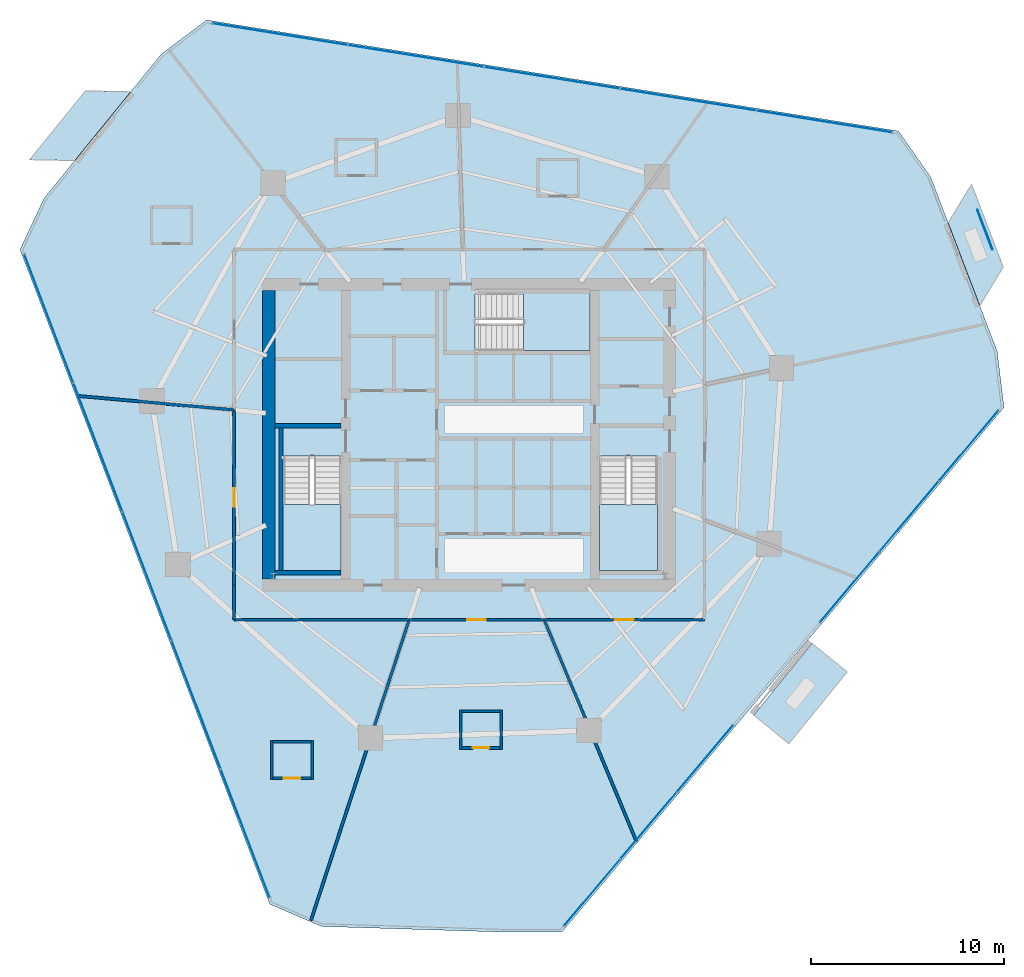
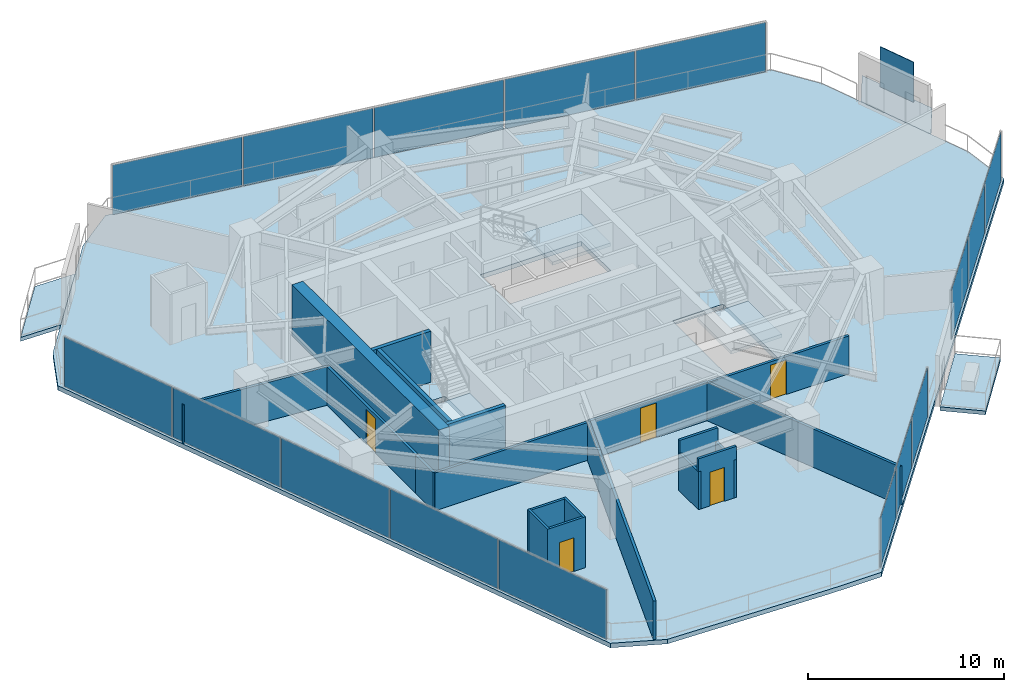
# One storey, part 24 of 31: 20 walls, 17 plates, 7 slabs, 5 doors, 5 openings, 7 elements without a shape of their own.
"""IFC4 building model written with IfcOpenShell, lengths in metres."""

from ifc_helpers import new_model, si_unit, direction, frame, frame_2d, origin, origin_2d, place, context, subcontext, project, spatial, polyline, rectangle, outline, extrude, material, layer, layer_set, type_object, element, fill, aggregate, save


model = new_model("IFC4")

# Units and contexts
model_context = context("Model", 3, precision=1e-05, world=origin(), true_north=direction((0.0, 1.0)))
body_context = subcontext(model_context, "Body", "Model", "MODEL_VIEW")
ifc_project = project(units=[si_unit("LENGTHUNIT", "METRE"), si_unit("AREAUNIT", "SQUARE_METRE"), si_unit("VOLUMEUNIT", "CUBIC_METRE"), si_unit("PLANEANGLEUNIT", "RADIAN"), si_unit("MASSUNIT", "GRAM", prefix="KILO")], contexts=[model_context])

# Site, building, storey
site_placement = place(None, origin())
site = spatial("IfcSite", under=ifc_project, at=site_placement, CompositionType="ELEMENT")
building_placement = place(site_placement, origin())
building = spatial("IfcBuilding", under=site, at=building_placement, Name="Qarnah Convention Tower", CompositionType="ELEMENT")
storey_placement = place(building_placement, frame((0.0, 0.0, 33.89990234375)))
storey = spatial("IfcBuildingStorey", under=building, at=storey_placement, Name="L07", CompositionType="ELEMENT", Elevation=33.89990234375)

# Curtain wall, plates
ifc_material_1 = material(Name="Tempered Low-E dark glass", Category="glass")
ifc_layer_1 = layer(ifc_material_1, 0.16796875)
ifc_layer_set_1 = layer_set([ifc_layer_1], Name="Tempered Low-E dark glass")
curtain_wall_type = type_object("IfcCurtainWallType", Name="CWS-01", PredefinedType="NOTDEFINED", material=ifc_layer_set_1)
curtain_wall_1_placement = place(storey_placement, origin())
curtain_wall_1 = element("IfcCurtainWall", 1, at=curtain_wall_1_placement, inside=storey, type_object=curtain_wall_type, Name="L07 unitised curtain wall CW-L07-F1", PredefinedType="NOTDEFINED")
ifc_layer_2 = layer(ifc_material_1, 0.028076171875)
ifc_layer_set_2 = layer_set([ifc_layer_2], Name="Tempered Low-E dark glass")
plate_type_1 = type_object("IfcPlateType", Name="PNL-T1", PredefinedType="CURTAIN_PANEL", material=ifc_layer_set_2)
plate_1_placement = place(storey_placement, frame((27.385009765625, 47.16748046875, 0.0400390625), z_axis=(0.0, 0.0, 1.0), x_axis=(0.987358613708, -0.15850226477, 0.0)))
plate_1 = element("IfcPlate", 2, at=plate_1_placement, type_object=plate_type_1, Name="CW-L07-F1 curtain panel 1.1", PredefinedType="CURTAIN_PANEL", context=body_context, shape_type="SweptSolid", body=[
    extrude(rectangle(XDim=7.068115234375, YDim=0.028076171875, at=origin_2d()), origin(), (0.0, 0.0, 1.0), 3.090087890625),
])
plate_2_placement = place(storey_placement, frame((34.442626953125, 46.034423828125, 0.0400390625), z_axis=(0.0, 0.0, 1.0), x_axis=(0.987358613708, -0.15850226477, 0.0)))
plate_2 = element("IfcPlate", 3, at=plate_2_placement, type_object=plate_type_1, Name="CW-L07-F1 curtain panel 2.1", PredefinedType="CURTAIN_PANEL", context=body_context, shape_type="SweptSolid", body=[
    extrude(rectangle(XDim=7.068115234375, YDim=0.028076171875, at=origin_2d()), origin(), (0.0, 0.0, 1.0), 3.090087890625),
])
plate_3_placement = place(storey_placement, frame((41.50048828125, 44.901611328125, 0.0400390625), z_axis=(0.0, 0.0, 1.0), x_axis=(0.987358613708, -0.15850226477, 0.0)))
plate_3 = element("IfcPlate", 4, at=plate_3_placement, type_object=plate_type_1, Name="CW-L07-F1 curtain panel 3.1", PredefinedType="CURTAIN_PANEL", context=body_context, shape_type="SweptSolid", body=[
    extrude(rectangle(XDim=7.068115234375, YDim=0.028076171875, at=origin_2d()), origin(), (0.0, 0.0, 1.0), 3.090087890625),
])
plate_4_placement = place(storey_placement, frame((48.558349609375, 43.7685546875, 0.0400390625), z_axis=(0.0, 0.0, 1.0), x_axis=(0.987358613708, -0.15850226477, 0.0)))
plate_4 = element("IfcPlate", 5, at=plate_4_placement, type_object=plate_type_1, Name="CW-L07-F1 curtain panel 4.1", PredefinedType="CURTAIN_PANEL", context=body_context, shape_type="SweptSolid", body=[
    extrude(rectangle(XDim=7.068115234375, YDim=0.028076171875, at=origin_2d()), origin(), (0.0, 0.0, 1.0), 3.090087890625),
])
plate_5_placement = place(storey_placement, frame((55.6162109375, 42.635498046875, 0.0400390625), z_axis=(0.0, 0.0, 1.0), x_axis=(0.987358613708, -0.15850226477, 0.0)))
plate_5 = element("IfcPlate", 6, at=plate_5_placement, type_object=plate_type_1, Name="CW-L07-F1 curtain panel 5.1", PredefinedType="CURTAIN_PANEL", context=body_context, shape_type="SweptSolid", body=[
    extrude(rectangle(XDim=7.068115234375, YDim=0.028076171875, at=origin_2d()), origin(), (0.0, 0.0, 1.0), 3.090087890625),
])
aggregate(curtain_wall_1, [plate_1, plate_2, plate_3, plate_4, plate_5])

curtain_wall_2_placement = place(storey_placement, origin())
curtain_wall_2 = element("IfcCurtainWall", 7, at=curtain_wall_2_placement, inside=storey, type_object=curtain_wall_type, Name="L07 unitised curtain wall CW-L07-F2", PredefinedType="NOTDEFINED")
plate_6_placement = place(storey_placement, frame((25.584228515625, 5.708251953125, 0.0400390625), z_axis=(0.0, 0.0, 1.0), x_axis=(-0.356416493623, 0.934327182027, 0.0)))
plate_6 = element("IfcPlate", 8, at=plate_6_placement, type_object=plate_type_1, Name="CW-L07-F2 curtain panel 1.1", PredefinedType="CURTAIN_PANEL", context=body_context, shape_type="SweptSolid", body=[
    extrude(rectangle(XDim=7.06787109375, YDim=0.028076171875, at=origin_2d()), origin(), (0.0, 0.0, 1.0), 3.090087890625),
])
plate_7_placement = place(storey_placement, frame((23.03662109375, 12.38671875, 0.0400390625), z_axis=(0.0, 0.0, 1.0), x_axis=(-0.356416493623, 0.934327182027, 0.0)))
plate_7 = element("IfcPlate", 9, at=plate_7_placement, type_object=plate_type_1, Name="CW-L07-F2 curtain panel 2.1", PredefinedType="CURTAIN_PANEL", context=body_context, shape_type="SweptSolid", body=[
    extrude(rectangle(XDim=7.06787109375, YDim=0.028076171875, at=origin_2d()), origin(), (0.0, 0.0, 1.0), 3.090087890625),
])
plate_8_placement = place(storey_placement, frame((20.489013671875, 19.06494140625, 0.0400390625), z_axis=(0.0, 0.0, 1.0), x_axis=(-0.356416493623, 0.934327182027, 0.0)))
plate_8 = element("IfcPlate", 10, at=plate_8_placement, type_object=plate_type_1, Name="CW-L07-F2 curtain panel 3.1", PredefinedType="CURTAIN_PANEL", context=body_context, shape_type="SweptSolid", body=[
    extrude(rectangle(XDim=7.06787109375, YDim=0.028076171875, at=origin_2d()), origin(), (0.0, 0.0, 1.0), 3.090087890625),
])
plate_9_placement = place(storey_placement, frame((17.94140625, 25.743408203125, 0.0400390625), z_axis=(0.0, 0.0, 1.0), x_axis=(-0.356416493623, 0.934327182027, 0.0)))
plate_9 = element("IfcPlate", 11, at=plate_9_placement, type_object=plate_type_1, Name="CW-L07-F2 curtain panel 4.1", PredefinedType="CURTAIN_PANEL", context=body_context, shape_type="SweptSolid", body=[
    extrude(rectangle(XDim=7.06787109375, YDim=0.028076171875, at=origin_2d()), origin(), (0.0, 0.0, 1.0), 3.090087890625),
])
plate_10_placement = place(storey_placement, frame((15.393798828125, 32.421875, 0.0400390625), z_axis=(0.0, 0.0, 1.0), x_axis=(-0.356416493623, 0.934327182027, 0.0)))
plate_10 = element("IfcPlate", 12, at=plate_10_placement, type_object=plate_type_1, Name="CW-L07-F2 curtain panel 5.1", PredefinedType="CURTAIN_PANEL", context=body_context, shape_type="SweptSolid", body=[
    extrude(rectangle(XDim=7.06787109375, YDim=0.028076171875, at=origin_2d()), origin(), (0.0, 0.0, 1.0), 3.090087890625),
])
aggregate(curtain_wall_2, [plate_6, plate_7, plate_8, plate_9, plate_10])

curtain_wall_3_placement = place(storey_placement, origin())
curtain_wall_3 = element("IfcCurtainWall", 13, at=curtain_wall_3_placement, inside=storey, type_object=curtain_wall_type, Name="L07 unitised curtain wall CW-L07-F3", PredefinedType="NOTDEFINED")
plate_11_placement = place(storey_placement, frame((63.097412109375, 25.822998046875, 0.0400390625), z_axis=(0.0, 0.0, 1.0), x_axis=(-0.644401208836, -0.764687571529, 0.0)))
plate_11 = element("IfcPlate", 14, at=plate_11_placement, type_object=plate_type_1, Name="CW-L07-F3 curtain panel 1.1", PredefinedType="CURTAIN_PANEL", context=body_context, shape_type="SweptSolid", body=[
    extrude(rectangle(XDim=4.714111328125, YDim=0.028076171875, at=origin_2d()), origin(), (0.0, 0.0, 1.0), 3.090087890625),
])
plate_12_placement = place(storey_placement, frame((60.008056640625, 22.156982421875, 0.0400390625), z_axis=(0.0, 0.0, 1.0), x_axis=(-0.644401208836, -0.764687571529, 0.0)))
plate_12 = element("IfcPlate", 15, at=plate_12_placement, type_object=plate_type_1, Name="CW-L07-F3 curtain panel 2.1", PredefinedType="CURTAIN_PANEL", context=body_context, shape_type="SweptSolid", body=[
    extrude(rectangle(XDim=4.714111328125, YDim=0.028076171875, at=origin_2d()), origin(), (0.0, 0.0, 1.0), 3.090087890625),
])
plate_13_placement = place(storey_placement, frame((56.918701171875, 18.490966796875, 0.0400390625), z_axis=(0.0, 0.0, 1.0), x_axis=(-0.644401208836, -0.764687571529, 0.0)))
plate_13 = element("IfcPlate", 16, at=plate_13_placement, type_object=plate_type_1, Name="CW-L07-F3 curtain panel 3.1", PredefinedType="CURTAIN_PANEL", context=body_context, shape_type="SweptSolid", body=[
    extrude(rectangle(XDim=4.714111328125, YDim=0.028076171875, at=origin_2d()), origin(), (0.0, 0.0, 1.0), 3.090087890625),
])
aggregate(curtain_wall_3, [plate_11, plate_12, plate_13])

curtain_wall_4_placement = place(storey_placement, origin())
curtain_wall_4 = element("IfcCurtainWall", 17, at=curtain_wall_4_placement, inside=storey, type_object=curtain_wall_type, Name="L07 unitised curtain wall CW-L07-F4", PredefinedType="NOTDEFINED")
plate_14_placement = place(storey_placement, frame((49.4267578125, 9.600341796875, 0.0400390625), z_axis=(0.0, 0.0, 1.0), x_axis=(-0.644442674892, -0.764652626215, 0.0)))
plate_14 = element("IfcPlate", 18, at=plate_14_placement, type_object=plate_type_1, Name="CW-L07-F4 curtain panel 1.1", PredefinedType="CURTAIN_PANEL", context=body_context, shape_type="SweptSolid", body=[
    extrude(rectangle(XDim=4.467529296875, YDim=0.028076171875, at=origin_2d()), origin(), (0.0, 0.0, 1.0), 3.090087890625),
])
plate_15_placement = place(storey_placement, frame((46.49609375, 6.123046875, 0.0400390625), z_axis=(0.0, 0.0, 1.0), x_axis=(-0.644442674892, -0.764652626215, 0.0)))
plate_15 = element("IfcPlate", 19, at=plate_15_placement, type_object=plate_type_1, Name="CW-L07-F4 curtain panel 2.1", PredefinedType="CURTAIN_PANEL", context=body_context, shape_type="SweptSolid", body=[
    extrude(rectangle(XDim=4.467529296875, YDim=0.028076171875, at=origin_2d()), origin(), (0.0, 0.0, 1.0), 3.090087890625),
])
plate_16_placement = place(storey_placement, frame((43.5654296875, 2.645751953125, 0.0400390625), z_axis=(0.0, 0.0, 1.0), x_axis=(-0.644442674892, -0.764652626215, 0.0)))
plate_16 = element("IfcPlate", 20, at=plate_16_placement, type_object=plate_type_1, Name="CW-L07-F4 curtain panel 3.1", PredefinedType="CURTAIN_PANEL", context=body_context, shape_type="SweptSolid", body=[
    extrude(rectangle(XDim=4.467529296875, YDim=0.028076171875, at=origin_2d()), origin(), (0.0, 0.0, 1.0), 3.090087890625),
])
aggregate(curtain_wall_4, [plate_14, plate_15, plate_16])

# Plate
ifc_material_2 = material(Name="Black anodised aluminium", Category="aluminium")
ifc_layer_3 = layer(ifc_material_2, 0.044921875)
ifc_layer_set_3 = layer_set([ifc_layer_3], Name="Black anodised aluminium")
plate_type_2 = type_object("IfcPlateType", Name="SCR-BAL-18", PredefinedType="USERDEFINED", material=ifc_layer_set_3)
plate_17_placement = place(storey_placement, frame((63.93994140625, 37.030029296875, 0.0), z_axis=(0.0, 0.0, 1.0), x_axis=(0.356312403284, -0.934366882582, 0.0)))
element("IfcPlate", 21, at=plate_17_placement, inside=storey, type_object=plate_type_2, Name="L07 perforated desert solar screen BAL-L07-C1", ObjectType="SCREEN", PredefinedType="USERDEFINED", context=body_context, shape_type="SweptSolid", body=[
    extrude(rectangle(XDim=2.199951171875, YDim=0.044921875, at=origin_2d()), origin(), (0.0, 0.0, 1.0), 2.5),
])

# Slabs
ifc_material_3 = material(Name="Concrete C45/55", Category="concrete")
ifc_layer_4 = layer(ifc_material_3, 0.239990234375)
ifc_layer_set_4 = layer_set([ifc_layer_4], Name="Concrete C45/55")
slab_type_1 = type_object("IfcSlabType", Name="SLB-BAL-240", PredefinedType="USERDEFINED", material=ifc_layer_set_4)
slab_1_placement = place(storey_placement, frame((0.0, 0.0, -0.239990234375)))
element("IfcSlab", 22, at=slab_1_placement, inside=storey, type_object=slab_type_1, Name="L07 cantilevered balcony slab BAL-L07-C1", ObjectType="BALCONY", PredefinedType="USERDEFINED", context=body_context, shape_type="SweptSolid", body=[
    extrude(outline(polyline([(63.2451171875, 39.384033203125), (64.884033203125, 35.0859375), (63.672119140625, 33.076904296875), (62.031982421875, 37.3759765625), (63.2451171875, 39.384033203125)])), origin(), (0.0, 0.0, 1.0), 0.239990234375),
])
slab_2_placement = place(storey_placement, frame((0.0, 0.0, -0.239990234375)))
element("IfcSlab", 23, at=slab_2_placement, inside=storey, type_object=slab_type_1, Name="L07 cantilevered balcony slab BAL-L07-C2", ObjectType="BALCONY", PredefinedType="USERDEFINED", context=body_context, shape_type="SweptSolid", body=[
    extrude(outline(polyline([(14.39599609375, 40.655029296875), (17.298095703125, 44.22412109375), (19.64404296875, 44.177978515625), (16.740966796875, 40.60888671875), (14.39599609375, 40.655029296875)])), origin(), (0.0, 0.0, 1.0), 0.239990234375),
])
slab_3_placement = place(storey_placement, frame((0.0, 0.0, -0.239990234375)))
element("IfcSlab", 24, at=slab_3_placement, inside=storey, type_object=slab_type_1, Name="L07 cantilevered balcony slab VN-L07", ObjectType="BALCONY", PredefinedType="USERDEFINED", context=body_context, shape_type="SweptSolid", body=[
    extrude(outline(polyline([(54.97412109375, 15.575927734375), (56.797119140625, 14.093017578125), (53.76806640625, 10.368896484375), (51.945068359375, 11.85205078125), (54.97412109375, 15.575927734375)])), origin(), (0.0, 0.0, 1.0), 0.239990234375),
])

# Stair, slab
ifc_material_4 = material(Name="Concrete C50/60", Category="concrete")
stair_type = type_object("IfcStairType", Name="STR-HTL", PredefinedType="HALF_TURN_STAIR", material=ifc_material_4)
stair_1_placement = place(storey_placement, origin())
stair_1 = element("IfcStair", 25, at=stair_1_placement, inside=storey, type_object=stair_type, Name="L07 Core exit stair ST-1", PredefinedType="HALF_TURN_STAIR")
ifc_layer_5 = layer(ifc_material_4, 0.199951171875)
ifc_layer_set_5 = layer_set([ifc_layer_5], Name="Concrete C50/60")
slab_type_2 = type_object("IfcSlabType", Name="SLB-LANDING-200", PredefinedType="LANDING", material=ifc_layer_set_5)
slab_4_placement = place(storey_placement, frame((0.0, 0.0, 1.525146484375)))
slab_4 = element("IfcSlab", 26, at=slab_4_placement, type_object=slab_type_2, Name="ST-1 landing 1", PredefinedType="LANDING", context=body_context, shape_type="SweptSolid", body=[
    extrude(outline(polyline([(27.550048828125, 22.780029296875), (27.550048828125, 19.35009765625), (30.550048828125, 19.35009765625), (30.550048828125, 22.780029296875), (27.550048828125, 22.780029296875)])), origin(), (0.0, 0.0, 1.0), 0.199951171875),
])
aggregate(stair_1, [slab_4])

stair_2_placement = place(storey_placement, origin())
stair_2 = element("IfcStair", 27, at=stair_2_placement, inside=storey, type_object=stair_type, Name="L07 Core exit stair ST-2", PredefinedType="HALF_TURN_STAIR")
slab_5_placement = place(storey_placement, frame((0.0, 0.0, 1.525146484375)))
slab_5 = element("IfcSlab", 28, at=slab_5_placement, type_object=slab_type_2, Name="ST-2 landing 1", PredefinedType="LANDING", context=body_context, shape_type="SweptSolid", body=[
    extrude(outline(polyline([(43.949951171875, 22.780029296875), (43.949951171875, 19.35009765625), (46.949951171875, 19.35009765625), (46.949951171875, 22.780029296875), (43.949951171875, 22.780029296875)])), origin(), (0.0, 0.0, 1.0), 0.199951171875),
])
aggregate(stair_2, [slab_5])

stair_3_placement = place(storey_placement, origin())
stair_3 = element("IfcStair", 29, at=stair_3_placement, inside=storey, type_object=stair_type, Name="L07 Core exit stair ST-3", PredefinedType="HALF_TURN_STAIR")
slab_6_placement = place(storey_placement, frame((0.0, 0.0, 1.525146484375)))
slab_6 = element("IfcSlab", 30, at=slab_6_placement, type_object=slab_type_2, Name="ST-3 landing 1", PredefinedType="LANDING", context=body_context, shape_type="SweptSolid", body=[
    extrude(outline(polyline([(40.02001953125, 30.75), (43.449951171875, 30.75), (43.449951171875, 33.75), (40.02001953125, 33.75), (40.02001953125, 30.75)])), origin(), (0.0, 0.0, 1.0), 0.199951171875),
])
aggregate(stair_3, [slab_6])

# Slab
ifc_layer_6 = layer(ifc_material_3, 0.280029296875)
ifc_layer_set_6 = layer_set([ifc_layer_6], Name="Concrete C45/55")
slab_type_3 = type_object("IfcSlabType", Name="SLB-TWR-280", PredefinedType="FLOOR", material=ifc_layer_set_6)
slab_7_placement = place(storey_placement, frame((0.0, 0.0, -0.27978515625)))
element("IfcSlab", 31, at=slab_7_placement, inside=storey, type_object=slab_type_3, Name="L07 structural floor slab", PredefinedType="FLOOR", context=body_context, shape_type="SweptSolid", body=[
    extrude(outline(polyline([(59.4599609375, 42.139892578125), (23.5791015625, 47.89990234375), (21.235107421875, 46.14111328125), (15.14501953125, 38.653076171875), (13.90087890625, 35.9990234375), (26.85302734375, 2.0458984375), (29.548095703125, 0.89501953125), (39.0791015625, 0.60009765625), (41.998046875, 0.60009765625), (64.927001953125, 27.80810546875), (64.575927734375, 30.717041015625), (61.135986328125, 39.736083984375), (59.4599609375, 42.139892578125)]), holes=[polyline([(27.550048828125, 25.300048828125), (27.550048828125, 19.35009765625), (30.550048828125, 19.35009765625), (30.550048828125, 25.300048828125), (27.550048828125, 25.300048828125)]), polyline([(43.949951171875, 25.300048828125), (43.949951171875, 19.35009765625), (46.949951171875, 19.35009765625), (46.949951171875, 25.300048828125), (43.949951171875, 25.300048828125)]), polyline([(37.5, 30.75), (43.449951171875, 30.75), (43.449951171875, 33.75), (37.5, 33.75), (37.5, 30.75)])]), origin(), (0.0, 0.0, 1.0), 0.27978515625),
])

# Walls
ifc_material_5 = material(Name="Concrete C60/75", Category="concrete")
ifc_layer_7 = layer(ifc_material_5, 0.64990234375)
ifc_layer_set_7 = layer_set([ifc_layer_7], Name="Concrete C60/75")
wall_type_1 = type_object("IfcWallType", Name="WL-CORE-650", PredefinedType="SHEAR", material=ifc_layer_set_7)
wall_1_placement = place(storey_placement, frame((26.800048828125, 18.925048828125, 0.0), z_axis=(0.0, 0.0, 1.0), x_axis=(0.0, 1.0, 0.0)))
element("IfcWall", 32, at=wall_1_placement, inside=storey, type_object=wall_type_1, Name="L07 core west shear wall", PredefinedType="SHEAR", context=body_context, shape_type="SweptSolid", body=[
    extrude(rectangle(XDim=14.949951171875, YDim=0.64990234375, at=frame_2d((7.47509765625, 0.0))), origin(), (0.0, 0.0, 1.0), 3.170166015625),
])
ifc_layer_8 = layer(ifc_material_5, 0.219970703125)
ifc_layer_set_8 = layer_set([ifc_layer_8], Name="Concrete C60/75")
wall_type_2 = type_object("IfcWallType", Name="WL-CORE-STAIR-220", PredefinedType="SHEAR", material=ifc_layer_set_8)
wall_2_placement = place(storey_placement, frame((27.125, 26.860107421875, 0.0), z_axis=(0.0, 0.0, 1.0), x_axis=(1.0, 0.0, 0.0)))
element("IfcWall", 33, at=wall_2_placement, inside=storey, type_object=wall_type_2, Name="L07 stair shaft shear wall SW-L07-ST1N", PredefinedType="SHEAR", context=body_context, shape_type="SweptSolid", body=[
    extrude(rectangle(XDim=3.425048828125, YDim=0.219970703125, at=frame_2d((1.71240234375, 0.0))), origin(), (0.0, 0.0, 1.0), 3.170166015625),
])
wall_3_placement = place(storey_placement, frame((27.43994140625, 19.35009765625, 0.0), z_axis=(0.0, 0.0, 1.0), x_axis=(0.0, 1.0, 0.0)))
element("IfcWall", 34, at=wall_3_placement, inside=storey, type_object=wall_type_2, Name="L07 stair shaft shear wall SW-L07-ST1W", PredefinedType="SHEAR", context=body_context, shape_type="SweptSolid", body=[
    extrude(rectangle(XDim=7.39990234375, YDim=0.219970703125, at=frame_2d((3.699951171875, 0.0))), origin(), (0.0, 0.0, 1.0), 3.170166015625),
])
wall_4_placement = place(storey_placement, frame((27.125, 19.239990234375, 0.0), z_axis=(0.0, 0.0, 1.0), x_axis=(1.0, 0.0, 0.0)))
element("IfcWall", 35, at=wall_4_placement, inside=storey, type_object=wall_type_2, Name="L07 stair shaft shear wall SW-L07-ST1S", PredefinedType="SHEAR", context=body_context, shape_type="SweptSolid", body=[
    extrude(rectangle(XDim=3.425048828125, YDim=0.219970703125, at=frame_2d((1.71240234375, 0.0))), origin(), (0.0, 0.0, 1.0), 3.170166015625),
])
ifc_material_6 = material(Name="Gypsum partition board")
ifc_layer_9 = layer(ifc_material_6, 0.14990234375)
ifc_layer_set_9 = layer_set([ifc_layer_9], Name="Gypsum partition board")
wall_type_3 = type_object("IfcWallType", Name="WL-SUITE-150", PredefinedType="PARTITIONING", material=ifc_layer_set_9)
wall_5_placement = place(storey_placement, frame((16.873046875, 28.408935546875, 0.0), z_axis=(0.0, 0.0, 1.0), x_axis=(0.996022166246, -0.089105804226, 0.0)))
element("IfcWall", 36, at=wall_5_placement, inside=storey, type_object=wall_type_3, Name="L07 interior wall IW-L07-R-30", PredefinedType="PARTITIONING", context=body_context, shape_type="SweptSolid", body=[
    extrude(rectangle(XDim=8.159423828125, YDim=0.14990234375, at=frame_2d((4.07958984375, 0.0))), origin(), (0.0, 0.0, 1.0), 2.39501953125),
])
wall_6_placement = place(storey_placement, frame((28.991943359375, 1.218994140625, 0.0), z_axis=(0.0, 0.0, 1.0), x_axis=(0.310480066137, 0.950579890662, 0.0)))
element("IfcWall", 37, at=wall_6_placement, inside=storey, type_object=wall_type_3, Name="L07 interior wall IW-L07-R-34", PredefinedType="PARTITIONING", context=body_context, shape_type="SweptSolid", body=[
    extrude(rectangle(XDim=16.39111328125, YDim=0.14990234375, at=frame_2d((8.195556640625, 0.0))), origin(), (0.0, 0.0, 1.0), 2.39501953125),
])
wall_7_placement = place(storey_placement, frame((34.0810546875, 16.800048828125, 0.0), z_axis=(0.0, 0.0, 1.0), x_axis=(-1.0, 0.0, 0.0)))
element("IfcWall", 38, at=wall_7_placement, inside=storey, type_object=wall_type_3, Name="L07 interior wall IW-L07-R-35", PredefinedType="PARTITIONING", context=body_context, shape_type="SweptSolid", body=[
    extrude(rectangle(XDim=9.0810546875, YDim=0.14990234375, at=frame_2d((4.54052734375, 0.0))), origin(), (0.0, 0.0, 1.0), 2.35498046875),
])
wall_8_placement = place(storey_placement, frame((25.0, 16.800048828125, 0.0), z_axis=(0.0, 0.0, 1.0), x_axis=(0.0, 1.0, 0.0)))
element("IfcWall", 39, at=wall_8_placement, inside=storey, type_object=wall_type_3, Name="L07 interior wall IW-L07-R-36", PredefinedType="PARTITIONING", context=body_context, shape_type="SweptSolid", body=[
    extrude(rectangle(XDim=1.800048828125, YDim=0.14990234375, at=frame_2d((0.89990234375, 0.0))), origin(), (0.0, 0.0, 1.0), 2.35498046875),
])

# Wall, opening, door
wall_9_placement = place(storey_placement, frame((25.0, 18.60009765625, 0.0), z_axis=(0.0, 0.0, 1.0), x_axis=(0.0, 1.0, 0.0)))
wall_9 = element("IfcWall", 40, at=wall_9_placement, inside=storey, type_object=wall_type_3, Name="L07 interior wall IW-L07-R-37", PredefinedType="PARTITIONING", context=body_context, shape_type="SweptSolid", body=[
    extrude(rectangle(XDim=9.081787109375, YDim=0.14990234375, at=frame_2d((4.541015625, 0.0))), origin(), (0.0, 0.0, 1.0), 2.39501953125),
])
opening_1_placement = place(wall_9_placement, frame((4.06591796875, 0.0, 0.0)))
opening_1 = element("IfcOpeningElement", 41, at=opening_1_placement, cuts=wall_9, Name="Opening D-0723", PredefinedType="OPENING", context=body_context, shape_type="SweptSolid", body=[
    extrude(rectangle(XDim=0.949951171875, YDim=2.14990234375, at=frame_2d((0.47509765625, 1.074951171875))), frame((0.0, 0.0849609375, 0.0), z_axis=(0.0, -1.0, 0.0), x_axis=(1.0, 0.0, 0.0)), (0.0, 0.0, 1.0), 0.169921875),
])
ifc_material_7 = material(Name="Oak timber veneer", Category="wood")
door_type_1 = type_object("IfcDoorType", Name="DT-HOTEL-950", OperationType="NOTDEFINED", PredefinedType="DOOR", material=ifc_material_7)
door_1_placement = place(opening_1_placement, origin())
door_1 = element("IfcDoor", 42, at=door_1_placement, inside=storey, type_object=door_type_1, Name="Door D-0723", OperationType="SINGLE_SWING_LEFT", OverallHeight=2.14990234375, OverallWidth=0.949951171875, PredefinedType="DOOR", context=body_context, shape_type="SweptSolid", body=[
    extrude(rectangle(XDim=0.949951171875, YDim=2.14990234375, at=frame_2d((0.47509765625, 1.074951171875))), frame((0.0, 0.02490234375, 0.0), z_axis=(0.0, -1.0, 0.0), x_axis=(1.0, 0.0, 0.0)), (0.0, 0.0, 1.0), 0.050048828125),
])
fill(opening_1, door_1)

# Wall
wall_10_placement = place(storey_placement, frame((45.865966796875, 5.300048828125, 0.0), z_axis=(0.0, 0.0, 1.0), x_axis=(-0.384286924082, 0.923213713059, 0.0)))
element("IfcWall", 43, at=wall_10_placement, inside=storey, type_object=wall_type_3, Name="L07 interior wall IW-L07-R-38", PredefinedType="PARTITIONING", context=body_context, shape_type="SweptSolid", body=[
    extrude(rectangle(XDim=12.45654296875, YDim=0.14990234375, at=frame_2d((6.228271484375, 0.0))), origin(), (0.0, 0.0, 1.0), 2.39501953125),
])

# Wall, opening, door
wall_11_placement = place(storey_placement, frame((41.0791015625, 16.800048828125, 0.0), z_axis=(0.0, 0.0, 1.0), x_axis=(-1.0, 0.0, 0.0)))
wall_11 = element("IfcWall", 44, at=wall_11_placement, inside=storey, type_object=wall_type_3, Name="L07 interior wall IW-L07-R-39", PredefinedType="PARTITIONING", context=body_context, shape_type="SweptSolid", body=[
    extrude(rectangle(XDim=6.998046875, YDim=0.14990234375, at=frame_2d((3.4990234375, 0.0))), origin(), (0.0, 0.0, 1.0), 2.39501953125),
])
opening_2_placement = place(wall_11_placement, frame((3.02392578125, 0.0, 0.0)))
opening_2 = element("IfcOpeningElement", 45, at=opening_2_placement, cuts=wall_11, Name="Opening D-0725", PredefinedType="OPENING", context=body_context, shape_type="SweptSolid", body=[
    extrude(rectangle(XDim=0.949951171875, YDim=2.14990234375, at=frame_2d((0.47509765625, 1.074951171875))), frame((0.0, 0.0849609375, 0.0), z_axis=(0.0, -1.0, 0.0), x_axis=(1.0, 0.0, 0.0)), (0.0, 0.0, 1.0), 0.169921875),
])
door_2_placement = place(opening_2_placement, origin())
door_2 = element("IfcDoor", 46, at=door_2_placement, inside=storey, type_object=door_type_1, Name="Door D-0725", OperationType="SINGLE_SWING_LEFT", OverallHeight=2.14990234375, OverallWidth=0.949951171875, PredefinedType="DOOR", context=body_context, shape_type="SweptSolid", body=[
    extrude(rectangle(XDim=0.949951171875, YDim=2.14990234375, at=frame_2d((0.47509765625, 1.074951171875))), frame((0.0, 0.02490234375, 0.0), z_axis=(0.0, -1.0, 0.0), x_axis=(1.0, 0.0, 0.0)), (0.0, 0.0, 1.0), 0.050048828125),
])
fill(opening_2, door_2)

wall_12_placement = place(storey_placement, frame((49.39990234375, 16.800048828125, 0.0), z_axis=(0.0, 0.0, 1.0), x_axis=(-1.0, 0.0, 0.0)))
wall_12 = element("IfcWall", 47, at=wall_12_placement, inside=storey, type_object=wall_type_3, Name="L07 interior wall IW-L07-R-43", PredefinedType="PARTITIONING", context=body_context, shape_type="SweptSolid", body=[
    extrude(rectangle(XDim=8.32080078125, YDim=0.14990234375, at=frame_2d((4.160400390625, 0.0))), origin(), (0.0, 0.0, 1.0), 2.35498046875),
])
opening_3_placement = place(wall_12_placement, frame((3.68505859375, 0.0, 0.0)))
opening_3 = element("IfcOpeningElement", 48, at=opening_3_placement, cuts=wall_12, Name="Opening D-0727", PredefinedType="OPENING", context=body_context, shape_type="SweptSolid", body=[
    extrude(rectangle(XDim=0.949951171875, YDim=2.14990234375, at=frame_2d((0.47509765625, 1.074951171875))), frame((0.0, 0.0849609375, 0.0), z_axis=(0.0, -1.0, 0.0), x_axis=(1.0, 0.0, 0.0)), (0.0, 0.0, 1.0), 0.169921875),
])
door_3_placement = place(opening_3_placement, origin())
door_3 = element("IfcDoor", 49, at=door_3_placement, inside=storey, type_object=door_type_1, Name="Door D-0727", OperationType="SINGLE_SWING_LEFT", OverallHeight=2.14990234375, OverallWidth=0.949951171875, PredefinedType="DOOR", context=body_context, shape_type="SweptSolid", body=[
    extrude(rectangle(XDim=0.949951171875, YDim=2.14990234375, at=frame_2d((0.47509765625, 1.074951171875))), frame((0.0, 0.02490234375, 0.0), z_axis=(0.0, -1.0, 0.0), x_axis=(1.0, 0.0, 0.0)), (0.0, 0.0, 1.0), 0.050048828125),
])
fill(opening_3, door_3)

ifc_layer_10 = layer(ifc_material_6, 0.139892578125)
ifc_layer_set_10 = layer_set([ifc_layer_10], Name="Gypsum partition board")
wall_type_4 = type_object("IfcWallType", Name="WL-WET-140", PredefinedType="PARTITIONING", material=ifc_layer_set_10)
wall_13_placement = place(storey_placement, frame((26.887939453125, 8.577880859375, 0.0), z_axis=(0.0, 0.0, 1.0), x_axis=(1.0, 0.0, 0.0)))
wall_13 = element("IfcWall", 50, at=wall_13_placement, inside=storey, type_object=wall_type_4, Name="L07 interior wall IW-L07-ENS04-1", PredefinedType="PARTITIONING", context=body_context, shape_type="SweptSolid", body=[
    extrude(rectangle(XDim=2.239990234375, YDim=0.139892578125, at=frame_2d((1.1201171875, 0.0))), origin(), (0.0, 0.0, 1.0), 3.170166015625),
])
opening_4_placement = place(wall_13_placement, frame((0.695068359375, 0.0, 0.0)))
opening_4 = element("IfcOpeningElement", 51, at=opening_4_placement, cuts=wall_13, Name="Opening D-0724", PredefinedType="OPENING", context=body_context, shape_type="SweptSolid", body=[
    extrude(rectangle(XDim=0.85009765625, YDim=2.10009765625, at=frame_2d((0.425048828125, 1.050048828125))), frame((0.0, 0.079833984375, 0.0), z_axis=(0.0, -1.0, 0.0), x_axis=(1.0, 0.0, 0.0)), (0.0, 0.0, 1.0), 0.159912109375),
])
door_type_2 = type_object("IfcDoorType", Name="DT-BATH-850", OperationType="NOTDEFINED", PredefinedType="DOOR", material=ifc_material_7)
door_4_placement = place(opening_4_placement, origin())
door_4 = element("IfcDoor", 52, at=door_4_placement, inside=storey, type_object=door_type_2, Name="Door D-0724", OperationType="SINGLE_SWING_RIGHT", OverallHeight=2.10009765625, OverallWidth=0.85009765625, PredefinedType="DOOR", context=body_context, shape_type="SweptSolid", body=[
    extrude(rectangle(XDim=0.85009765625, YDim=2.10009765625, at=frame_2d((0.425048828125, 1.050048828125))), frame((0.0, 0.02490234375, 0.0), z_axis=(0.0, -1.0, 0.0), x_axis=(1.0, 0.0, 0.0)), (0.0, 0.0, 1.0), 0.050048828125),
])
fill(opening_4, door_4)

# Walls
wall_14_placement = place(storey_placement, frame((29.05810546875, 8.508056640625, 0.0), z_axis=(0.0, 0.0, 1.0), x_axis=(0.0, 1.0, 0.0)))
element("IfcWall", 53, at=wall_14_placement, inside=storey, type_object=wall_type_4, Name="L07 interior wall IW-L07-ENS04-2", PredefinedType="PARTITIONING", context=body_context, shape_type="SweptSolid", body=[
    extrude(rectangle(XDim=2.0400390625, YDim=0.139892578125, at=frame_2d((1.02001953125, 0.0))), origin(), (0.0, 0.0, 1.0), 3.170166015625),
])
wall_15_placement = place(storey_placement, frame((29.1279296875, 10.47802734375, 0.0), z_axis=(0.0, 0.0, 1.0), x_axis=(-1.0, 0.0, 0.0)))
element("IfcWall", 54, at=wall_15_placement, inside=storey, type_object=wall_type_4, Name="L07 interior wall IW-L07-ENS04-3", PredefinedType="PARTITIONING", context=body_context, shape_type="SweptSolid", body=[
    extrude(rectangle(XDim=2.239990234375, YDim=0.139892578125, at=frame_2d((1.1201171875, 0.0))), origin(), (0.0, 0.0, 1.0), 3.170166015625),
])
wall_16_placement = place(storey_placement, frame((26.9580078125, 10.548095703125, 0.0), z_axis=(0.0, 0.0, 1.0), x_axis=(0.0, -1.0, 0.0)))
element("IfcWall", 55, at=wall_16_placement, inside=storey, type_object=wall_type_4, Name="L07 interior wall IW-L07-ENS04-4", PredefinedType="PARTITIONING", context=body_context, shape_type="SweptSolid", body=[
    extrude(rectangle(XDim=2.0400390625, YDim=0.139892578125, at=frame_2d((1.02001953125, 0.0))), origin(), (0.0, 0.0, 1.0), 3.170166015625),
])

# Wall, opening, door
wall_17_placement = place(storey_placement, frame((36.68505859375, 10.153076171875, 0.0), z_axis=(0.0, 0.0, 1.0), x_axis=(1.0, 0.0, 0.0)))
wall_17 = element("IfcWall", 56, at=wall_17_placement, inside=storey, type_object=wall_type_4, Name="L07 interior wall IW-L07-ENS05-1", PredefinedType="PARTITIONING", context=body_context, shape_type="SweptSolid", body=[
    extrude(rectangle(XDim=2.239990234375, YDim=0.139892578125, at=frame_2d((1.1201171875, 0.0))), origin(), (0.0, 0.0, 1.0), 3.170166015625),
])
opening_5_placement = place(wall_17_placement, frame((0.695068359375, 0.0, 0.0)))
opening_5 = element("IfcOpeningElement", 57, at=opening_5_placement, cuts=wall_17, Name="Opening D-0726", PredefinedType="OPENING", context=body_context, shape_type="SweptSolid", body=[
    extrude(rectangle(XDim=0.85009765625, YDim=2.10009765625, at=frame_2d((0.425048828125, 1.050048828125))), frame((0.0, 0.079833984375, 0.0), z_axis=(0.0, -1.0, 0.0), x_axis=(1.0, 0.0, 0.0)), (0.0, 0.0, 1.0), 0.159912109375),
])
door_5_placement = place(opening_5_placement, origin())
door_5 = element("IfcDoor", 58, at=door_5_placement, inside=storey, type_object=door_type_2, Name="Door D-0726", OperationType="SINGLE_SWING_RIGHT", OverallHeight=2.10009765625, OverallWidth=0.85009765625, PredefinedType="DOOR", context=body_context, shape_type="SweptSolid", body=[
    extrude(rectangle(XDim=0.85009765625, YDim=2.10009765625, at=frame_2d((0.425048828125, 1.050048828125))), frame((0.0, 0.02490234375, 0.0), z_axis=(0.0, -1.0, 0.0), x_axis=(1.0, 0.0, 0.0)), (0.0, 0.0, 1.0), 0.050048828125),
])
fill(opening_5, door_5)

# Walls
wall_18_placement = place(storey_placement, frame((38.85498046875, 10.0830078125, 0.0), z_axis=(0.0, 0.0, 1.0), x_axis=(0.0, 1.0, 0.0)))
element("IfcWall", 59, at=wall_18_placement, inside=storey, type_object=wall_type_4, Name="L07 interior wall IW-L07-ENS05-2", PredefinedType="PARTITIONING", context=body_context, shape_type="SweptSolid", body=[
    extrude(rectangle(XDim=2.0400390625, YDim=0.139892578125, at=frame_2d((1.02001953125, 0.0))), origin(), (0.0, 0.0, 1.0), 2.35498046875),
])
wall_19_placement = place(storey_placement, frame((38.925048828125, 12.052978515625, 0.0), z_axis=(0.0, 0.0, 1.0), x_axis=(-1.0, 0.0, 0.0)))
element("IfcWall", 60, at=wall_19_placement, inside=storey, type_object=wall_type_4, Name="L07 interior wall IW-L07-ENS05-3", PredefinedType="PARTITIONING", context=body_context, shape_type="SweptSolid", body=[
    extrude(rectangle(XDim=2.239990234375, YDim=0.139892578125, at=frame_2d((1.1201171875, 0.0))), origin(), (0.0, 0.0, 1.0), 3.170166015625),
])
wall_20_placement = place(storey_placement, frame((36.7548828125, 12.123046875, 0.0), z_axis=(0.0, 0.0, 1.0), x_axis=(0.0, -1.0, 0.0)))
element("IfcWall", 61, at=wall_20_placement, inside=storey, type_object=wall_type_4, Name="L07 interior wall IW-L07-ENS05-4", PredefinedType="PARTITIONING", context=body_context, shape_type="SweptSolid", body=[
    extrude(rectangle(XDim=2.0400390625, YDim=0.139892578125, at=frame_2d((1.02001953125, 0.0))), origin(), (0.0, 0.0, 1.0), 2.35498046875),
])

save(model, "model.ifc")
